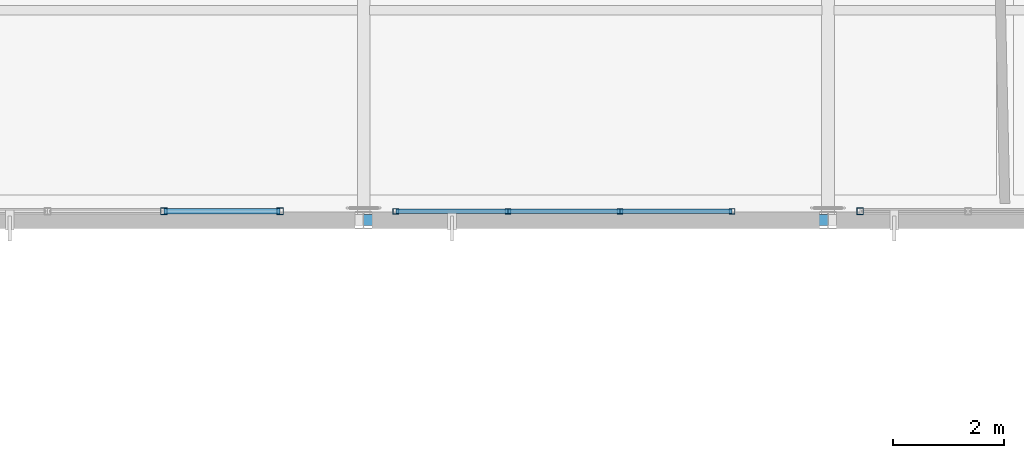
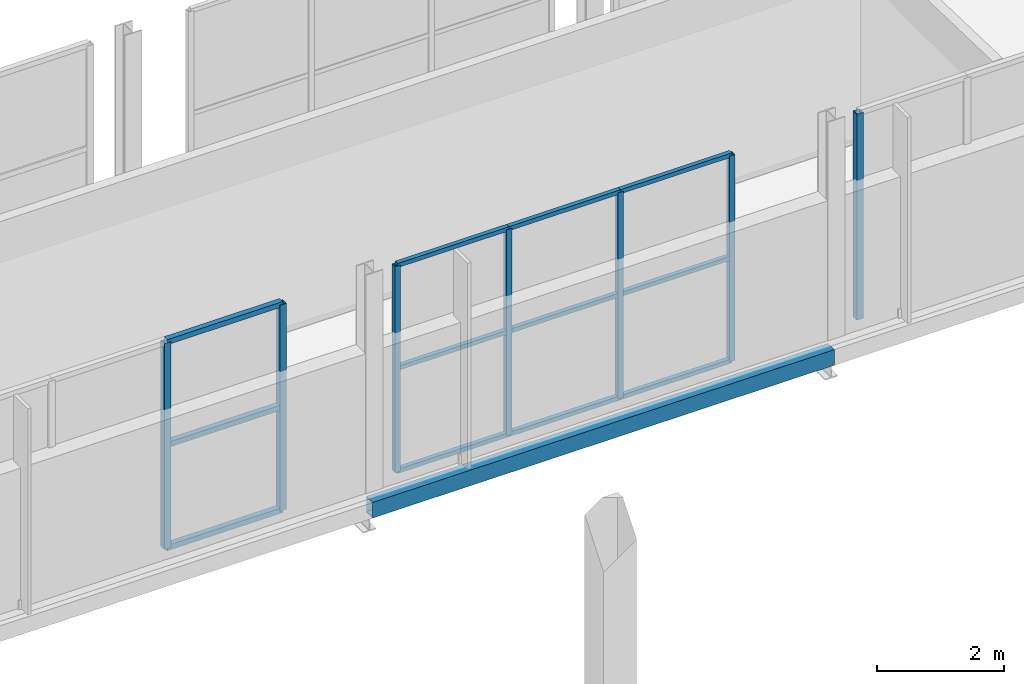
# One storey, part 83 of 151: 19 members, 1 beam, 3 elements without a shape of their own.
"""IFC4 building model written with IfcOpenShell, lengths in metres."""

from ifc_helpers import new_model, si_unit, direction, frame, origin, origin_2d, place, context, subcontext, project, spatial, hollow_rectangle, extrude, material, material_profile, profile_set, type_object, element, aggregate, save


model = new_model("IFC4")

# Units and contexts
model_context = context("Model", 3, precision=1e-05, world=origin(), true_north=direction((0.0, 1.0)))
body_context = subcontext(model_context, "Body", "Model", "MODEL_VIEW")
ifc_project = project(units=[si_unit("LENGTHUNIT", "METRE"), si_unit("AREAUNIT", "SQUARE_METRE"), si_unit("VOLUMEUNIT", "CUBIC_METRE"), si_unit("PLANEANGLEUNIT", "RADIAN"), si_unit("MASSUNIT", "GRAM", prefix="KILO")], contexts=[model_context])

# Site, building, storey
site_placement = place(None, origin())
site = spatial("IfcSite", under=ifc_project, at=site_placement, CompositionType="ELEMENT")
building_placement = place(site_placement, origin())
building = spatial("IfcBuilding", under=site, at=building_placement, Name="Zuvorla Pavilion Media Centre", CompositionType="ELEMENT")
storey_placement = place(building_placement, frame((0.0, 0.0, 13.800048828125)))
storey = spatial("IfcBuildingStorey", under=building, at=storey_placement, Name="L03", CompositionType="ELEMENT", Elevation=13.800048828125)

# Beam
ifc_material_1 = material(Name="Steel S355", Category="steel")
ifc_material_profile_1 = material_profile(ifc_material_1, hollow_rectangle(XDim=0.199951171875, YDim=0.300048828125, WallThickness=0.012451171875, at=origin_2d()), Name="RHS 300x200x12.5")
ifc_profile_set_1 = profile_set([ifc_material_profile_1], Name="Steel S355")
beam_type = type_object("IfcBeamType", Name="BM-SP-RHS300", PredefinedType="SPANDREL", material=ifc_profile_set_1)
beam_placement = place(storey_placement, frame((142.39990234375, 44.0, -0.407958984375), z_axis=(1.0, 0.0, 0.0), x_axis=(0.0, 1.0, 0.0)))
element("IfcBeam", 1, at=beam_placement, inside=storey, type_object=beam_type, Name="L03 spandrel SP01 1089", PredefinedType="SPANDREL", context=body_context, shape_type="SweptSolid", body=[
    extrude(hollow_rectangle(XDim=0.199951171875, YDim=0.300048828125, WallThickness=0.012451171875, at=origin_2d()), origin(), (0.0, 0.0, 1.0), 8.400146484375),
])

# Curtain wall, members
ifc_material_2 = material(Name="Unitised anodised aluminium and solar glass curtain wall", Category="aluminium")
curtain_wall_type_1 = type_object("IfcCurtainWallType", Name="CW-SYS-14", PredefinedType="USERDEFINED", material=ifc_material_2)
curtain_wall_1_placement = place(storey_placement, origin())
curtain_wall_1 = element("IfcCurtainWall", 2, at=curtain_wall_1_placement, inside=storey, type_object=curtain_wall_type_1, Name="L03 curtain wall CW14 146", ObjectType="CURTAIN WALL", PredefinedType="USERDEFINED")
ifc_material_3 = material(Name="Anodised aluminium 6063-T6", Category="aluminium")
ifc_material_profile_2 = material_profile(ifc_material_3, hollow_rectangle(XDim=0.10009765625, YDim=0.10009765625, WallThickness=0.00439453125, at=origin_2d()), Name="ALU MULL 100x100")
ifc_profile_set_2 = profile_set([ifc_material_profile_2], Name="Anodised aluminium 6063-T6")
member_type_1 = type_object("IfcMemberType", Name="CW-MULL-100", PredefinedType="MULLION", material=ifc_profile_set_2)
member_1_placement = place(storey_placement, frame((142.98193359375, 44.159912109375, 0.0), z_axis=(0.0, 0.0, 1.0), x_axis=(1.0, 0.0, 0.0)))
member_1 = element("IfcMember", 3, at=member_1_placement, type_object=member_type_1, Name="CW14 mullion 1", PredefinedType="MULLION", context=body_context, shape_type="SweptSolid", body=[
    extrude(hollow_rectangle(XDim=0.10009765625, YDim=0.10009765625, WallThickness=0.00439453125, at=origin_2d()), origin(), (0.0, 0.0, 1.0), 3.9599609375),
])
member_2_placement = place(storey_placement, frame((145.009521484375, 44.159912109375, 0.0), z_axis=(0.0, 0.0, 1.0), x_axis=(1.0, 0.0, 0.0)))
member_2 = element("IfcMember", 4, at=member_2_placement, type_object=member_type_1, Name="CW14 mullion 2", PredefinedType="MULLION", context=body_context, shape_type="SweptSolid", body=[
    extrude(hollow_rectangle(XDim=0.10009765625, YDim=0.10009765625, WallThickness=0.00439453125, at=origin_2d()), origin(), (0.0, 0.0, 1.0), 3.9599609375),
])
member_3_placement = place(storey_placement, frame((147.037353515625, 44.159912109375, 0.0), z_axis=(0.0, 0.0, 1.0), x_axis=(1.0, 0.0, 0.0)))
member_3 = element("IfcMember", 5, at=member_3_placement, type_object=member_type_1, Name="CW14 mullion 3", PredefinedType="MULLION", context=body_context, shape_type="SweptSolid", body=[
    extrude(hollow_rectangle(XDim=0.10009765625, YDim=0.10009765625, WallThickness=0.00439453125, at=origin_2d()), origin(), (0.0, 0.0, 1.0), 3.9599609375),
])
member_4_placement = place(storey_placement, frame((149.06494140625, 44.159912109375, 0.0), z_axis=(0.0, 0.0, 1.0), x_axis=(1.0, 0.0, 0.0)))
member_4 = element("IfcMember", 6, at=member_4_placement, type_object=member_type_1, Name="CW14 mullion 4", PredefinedType="MULLION", context=body_context, shape_type="SweptSolid", body=[
    extrude(hollow_rectangle(XDim=0.10009765625, YDim=0.10009765625, WallThickness=0.00439453125, at=origin_2d()), origin(), (0.0, 0.0, 1.0), 3.9599609375),
])

curtain_wall_type_2 = type_object("IfcCurtainWallType", Name="CW-SYS-12", PredefinedType="USERDEFINED", material=ifc_material_2)
curtain_wall_2_placement = place(storey_placement, origin())
curtain_wall_2 = element("IfcCurtainWall", 7, at=curtain_wall_2_placement, inside=storey, type_object=curtain_wall_type_2, Name="L03 curtain wall CW12 145", ObjectType="CURTAIN WALL", PredefinedType="USERDEFINED")
ifc_material_profile_3 = material_profile(ifc_material_3, hollow_rectangle(XDim=0.1201171875, YDim=0.1201171875, WallThickness=0.0048828125, at=origin_2d()), Name="ALU MULL 120x120")
ifc_profile_set_3 = profile_set([ifc_material_profile_3], Name="Anodised aluminium 6063-T6")
member_type_2 = type_object("IfcMemberType", Name="CW-MULL-120", PredefinedType="MULLION", material=ifc_profile_set_3)
member_5_placement = place(storey_placement, frame((138.787353515625, 44.159912109375, 0.0), z_axis=(0.0, 0.0, 1.0), x_axis=(1.0, 0.0, 0.0)))
member_5 = element("IfcMember", 8, at=member_5_placement, type_object=member_type_2, Name="CW12 mullion 3", PredefinedType="MULLION", context=body_context, shape_type="SweptSolid", body=[
    extrude(hollow_rectangle(XDim=0.1201171875, YDim=0.1201171875, WallThickness=0.0048828125, at=origin_2d()), origin(), (0.0, 0.0, 1.0), 3.9599609375),
])
member_6_placement = place(storey_placement, frame((140.889892578125, 44.159912109375, 0.0), z_axis=(0.0, 0.0, 1.0), x_axis=(1.0, 0.0, 0.0)))
member_6 = element("IfcMember", 9, at=member_6_placement, type_object=member_type_2, Name="CW12 mullion 4", PredefinedType="MULLION", context=body_context, shape_type="SweptSolid", body=[
    extrude(hollow_rectangle(XDim=0.1201171875, YDim=0.1201171875, WallThickness=0.0048828125, at=origin_2d()), origin(), (0.0, 0.0, 1.0), 3.9599609375),
])

# Curtain wall, member
curtain_wall_type_3 = type_object("IfcCurtainWallType", Name="CW-SYS-19", PredefinedType="USERDEFINED", material=ifc_material_2)
curtain_wall_3_placement = place(storey_placement, origin())
curtain_wall_3 = element("IfcCurtainWall", 10, at=curtain_wall_3_placement, inside=storey, type_object=curtain_wall_type_3, Name="L03 curtain wall CW19 147", ObjectType="CURTAIN WALL", PredefinedType="USERDEFINED")
member_7_placement = place(storey_placement, frame((151.3818359375, 44.159912109375, 0.0), z_axis=(0.0, 0.0, 1.0), x_axis=(1.0, 0.0, 0.0)))
member_7 = element("IfcMember", 11, at=member_7_placement, type_object=member_type_2, Name="CW19 mullion 1", PredefinedType="MULLION", context=body_context, shape_type="SweptSolid", body=[
    extrude(hollow_rectangle(XDim=0.1201171875, YDim=0.1201171875, WallThickness=0.0048828125, at=origin_2d()), origin(), (0.0, 0.0, 1.0), 3.9599609375),
])
aggregate(curtain_wall_3, [member_7])

# Member
ifc_material_profile_4 = material_profile(ifc_material_3, hollow_rectangle(XDim=0.10009765625, YDim=0.10009765625, WallThickness=0.00439453125, at=origin_2d()), Name="ALU TRAN 100x100")
ifc_profile_set_4 = profile_set([ifc_material_profile_4], Name="Anodised aluminium 6063-T6")
member_type_3 = type_object("IfcMemberType", Name="CW-TRAN-100", PredefinedType="USERDEFINED", material=ifc_profile_set_4)
member_8_placement = place(storey_placement, frame((138.787353515625, 44.159912109375, 0.0), z_axis=(1.0, 0.0, 0.0), x_axis=(0.0, 1.0, 0.0)))
member_8 = element("IfcMember", 12, at=member_8_placement, type_object=member_type_3, Name="CW12 transom 3.1", ObjectType="TRANSOM", PredefinedType="USERDEFINED", context=body_context, shape_type="SweptSolid", body=[
    extrude(hollow_rectangle(XDim=0.10009765625, YDim=0.10009765625, WallThickness=0.00439453125, at=origin_2d()), origin(), (0.0, 0.0, 1.0), 2.1025390625),
])

member_9_placement = place(storey_placement, frame((138.787353515625, 44.159912109375, 1.97998046875), z_axis=(1.0, 0.0, 0.0), x_axis=(0.0, 1.0, 0.0)))
member_9 = element("IfcMember", 13, at=member_9_placement, type_object=member_type_3, Name="CW12 transom 3.2", ObjectType="TRANSOM", PredefinedType="USERDEFINED", context=body_context, shape_type="SweptSolid", body=[
    extrude(hollow_rectangle(XDim=0.10009765625, YDim=0.10009765625, WallThickness=0.00439453125, at=origin_2d()), origin(), (0.0, 0.0, 1.0), 2.1025390625),
])

member_10_placement = place(storey_placement, frame((138.787353515625, 44.159912109375, 3.9599609375), z_axis=(1.0, 0.0, 0.0), x_axis=(0.0, 1.0, 0.0)))
member_10 = element("IfcMember", 14, at=member_10_placement, type_object=member_type_3, Name="CW12 transom 3.3", ObjectType="TRANSOM", PredefinedType="USERDEFINED", context=body_context, shape_type="SweptSolid", body=[
    extrude(hollow_rectangle(XDim=0.10009765625, YDim=0.10009765625, WallThickness=0.00439453125, at=origin_2d()), origin(), (0.0, 0.0, 1.0), 2.1025390625),
])

aggregate(curtain_wall_2, [member_5, member_6, member_8, member_9, member_10])

ifc_material_profile_5 = material_profile(ifc_material_3, hollow_rectangle(XDim=0.080078125, YDim=0.080078125, WallThickness=0.00390625, at=origin_2d()), Name="ALU TRAN 80x80")
ifc_profile_set_5 = profile_set([ifc_material_profile_5], Name="Anodised aluminium 6063-T6")
member_type_4 = type_object("IfcMemberType", Name="CW-TRAN-80", PredefinedType="USERDEFINED", material=ifc_profile_set_5)
member_11_placement = place(storey_placement, frame((142.98193359375, 44.159912109375, 0.0), z_axis=(1.0, 0.0, 0.0), x_axis=(0.0, 1.0, 0.0)))
member_11 = element("IfcMember", 15, at=member_11_placement, type_object=member_type_4, Name="CW14 transom 1.1", ObjectType="TRANSOM", PredefinedType="USERDEFINED", context=body_context, shape_type="SweptSolid", body=[
    extrude(hollow_rectangle(XDim=0.080078125, YDim=0.080078125, WallThickness=0.00390625, at=origin_2d()), origin(), (0.0, 0.0, 1.0), 2.027587890625),
])

member_12_placement = place(storey_placement, frame((142.98193359375, 44.159912109375, 1.97998046875), z_axis=(1.0, 0.0, 0.0), x_axis=(0.0, 1.0, 0.0)))
member_12 = element("IfcMember", 16, at=member_12_placement, type_object=member_type_4, Name="CW14 transom 1.2", ObjectType="TRANSOM", PredefinedType="USERDEFINED", context=body_context, shape_type="SweptSolid", body=[
    extrude(hollow_rectangle(XDim=0.080078125, YDim=0.080078125, WallThickness=0.00390625, at=origin_2d()), origin(), (0.0, 0.0, 1.0), 2.027587890625),
])

member_13_placement = place(storey_placement, frame((142.98193359375, 44.159912109375, 3.9599609375), z_axis=(1.0, 0.0, 0.0), x_axis=(0.0, 1.0, 0.0)))
member_13 = element("IfcMember", 17, at=member_13_placement, type_object=member_type_4, Name="CW14 transom 1.3", ObjectType="TRANSOM", PredefinedType="USERDEFINED", context=body_context, shape_type="SweptSolid", body=[
    extrude(hollow_rectangle(XDim=0.080078125, YDim=0.080078125, WallThickness=0.00390625, at=origin_2d()), origin(), (0.0, 0.0, 1.0), 2.027587890625),
])

member_14_placement = place(storey_placement, frame((145.009521484375, 44.159912109375, 0.0), z_axis=(1.0, 0.0, 0.0), x_axis=(0.0, 1.0, 0.0)))
member_14 = element("IfcMember", 18, at=member_14_placement, type_object=member_type_4, Name="CW14 transom 2.1", ObjectType="TRANSOM", PredefinedType="USERDEFINED", context=body_context, shape_type="SweptSolid", body=[
    extrude(hollow_rectangle(XDim=0.080078125, YDim=0.080078125, WallThickness=0.00390625, at=origin_2d()), origin(), (0.0, 0.0, 1.0), 2.02783203125),
])

member_15_placement = place(storey_placement, frame((145.009521484375, 44.159912109375, 1.97998046875), z_axis=(1.0, 0.0, 0.0), x_axis=(0.0, 1.0, 0.0)))
member_15 = element("IfcMember", 19, at=member_15_placement, type_object=member_type_4, Name="CW14 transom 2.2", ObjectType="TRANSOM", PredefinedType="USERDEFINED", context=body_context, shape_type="SweptSolid", body=[
    extrude(hollow_rectangle(XDim=0.080078125, YDim=0.080078125, WallThickness=0.00390625, at=origin_2d()), origin(), (0.0, 0.0, 1.0), 2.02783203125),
])

member_16_placement = place(storey_placement, frame((145.009521484375, 44.159912109375, 3.9599609375), z_axis=(1.0, 0.0, 0.0), x_axis=(0.0, 1.0, 0.0)))
member_16 = element("IfcMember", 20, at=member_16_placement, type_object=member_type_4, Name="CW14 transom 2.3", ObjectType="TRANSOM", PredefinedType="USERDEFINED", context=body_context, shape_type="SweptSolid", body=[
    extrude(hollow_rectangle(XDim=0.080078125, YDim=0.080078125, WallThickness=0.00390625, at=origin_2d()), origin(), (0.0, 0.0, 1.0), 2.02783203125),
])

member_17_placement = place(storey_placement, frame((147.037353515625, 44.159912109375, 0.0), z_axis=(1.0, 0.0, 0.0), x_axis=(0.0, 1.0, 0.0)))
member_17 = element("IfcMember", 21, at=member_17_placement, type_object=member_type_4, Name="CW14 transom 3.1", ObjectType="TRANSOM", PredefinedType="USERDEFINED", context=body_context, shape_type="SweptSolid", body=[
    extrude(hollow_rectangle(XDim=0.080078125, YDim=0.080078125, WallThickness=0.00390625, at=origin_2d()), origin(), (0.0, 0.0, 1.0), 2.027587890625),
])

member_18_placement = place(storey_placement, frame((147.037353515625, 44.159912109375, 1.97998046875), z_axis=(1.0, 0.0, 0.0), x_axis=(0.0, 1.0, 0.0)))
member_18 = element("IfcMember", 22, at=member_18_placement, type_object=member_type_4, Name="CW14 transom 3.2", ObjectType="TRANSOM", PredefinedType="USERDEFINED", context=body_context, shape_type="SweptSolid", body=[
    extrude(hollow_rectangle(XDim=0.080078125, YDim=0.080078125, WallThickness=0.00390625, at=origin_2d()), origin(), (0.0, 0.0, 1.0), 2.027587890625),
])

member_19_placement = place(storey_placement, frame((147.037353515625, 44.159912109375, 3.9599609375), z_axis=(1.0, 0.0, 0.0), x_axis=(0.0, 1.0, 0.0)))
member_19 = element("IfcMember", 23, at=member_19_placement, type_object=member_type_4, Name="CW14 transom 3.3", ObjectType="TRANSOM", PredefinedType="USERDEFINED", context=body_context, shape_type="SweptSolid", body=[
    extrude(hollow_rectangle(XDim=0.080078125, YDim=0.080078125, WallThickness=0.00390625, at=origin_2d()), origin(), (0.0, 0.0, 1.0), 2.027587890625),
])

aggregate(curtain_wall_1, [member_1, member_2, member_3, member_4, member_11, member_12, member_13, member_14, member_15, member_16, member_17, member_18, member_19])

save(model, "model.ifc")
